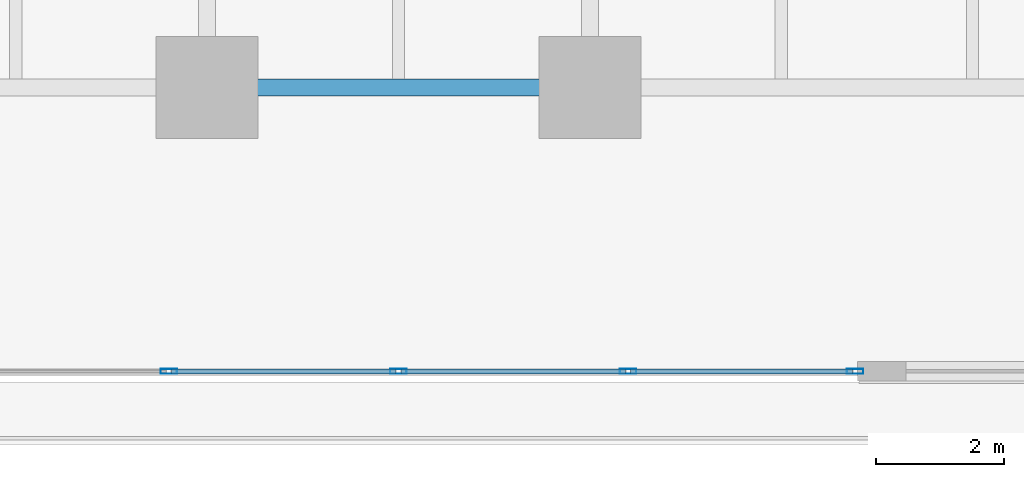
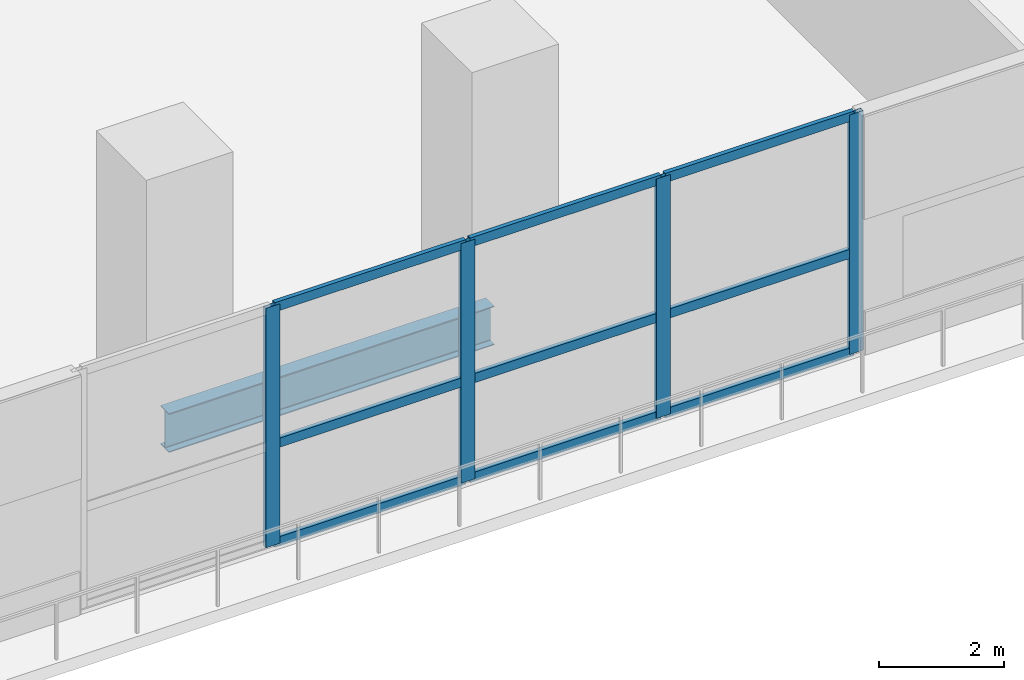
# One storey, part 4 of 27: 13 members, 1 beam, 1 element without a shape of its own.
"""IFC4 building model written with IfcOpenShell, lengths in metres."""

from ifc_helpers import new_model, si_unit, direction, frame, origin, origin_2d, place, context, subcontext, project, spatial, hollow_rectangle, i_section, extrude, material, layer, layer_set, material_profile, profile_set, type_object, element, aggregate, save


model = new_model("IFC4")

# Units and contexts
model_context = context("Model", 3, precision=1e-05, world=origin(), true_north=direction((0.0, 1.0)))
body_context = subcontext(model_context, "Body", "Model", "MODEL_VIEW")
ifc_project = project(units=[si_unit("LENGTHUNIT", "METRE"), si_unit("AREAUNIT", "SQUARE_METRE"), si_unit("VOLUMEUNIT", "CUBIC_METRE"), si_unit("PLANEANGLEUNIT", "RADIAN"), si_unit("MASSUNIT", "GRAM", prefix="KILO")], contexts=[model_context])

# Site, building, storey
site_placement = place(None, origin())
site = spatial("IfcSite", under=ifc_project, at=site_placement, CompositionType="ELEMENT")
building_placement = place(site_placement, origin())
building = spatial("IfcBuilding", under=site, at=building_placement, Name="Tanjung Sevakor Pilgrim Tower", CompositionType="ELEMENT")
storey_placement = place(building_placement, frame((0.0, 0.0, 9.89990234375)))
storey = spatial("IfcBuildingStorey", under=building, at=storey_placement, Name="L03", CompositionType="ELEMENT", Elevation=9.89990234375)

# Beam
ifc_material_1 = material(Name="Steel S355J2", Category="steel")
ifc_material_profile_1 = material_profile(ifc_material_1, i_section(OverallWidth=0.2666015625, OverallDepth=0.76220703125, WebThickness=0.014404296875, FlangeThickness=0.021484375, FilletRadius=0.0166015625, at=origin_2d()))
ifc_profile_set_1 = profile_set([ifc_material_profile_1], Name="Steel S355J2")
beam_type = type_object("IfcBeamType", Name="BM-B-POD4-UB_762x267x173", PredefinedType="BEAM", material=ifc_profile_set_1)
beam_placement = place(storey_placement, frame((54.0, 6.60009765625, -0.660888671875), z_axis=(1.0, 0.0, 0.0), x_axis=(0.0, 1.0, 0.0)))
element("IfcBeam", 1, at=beam_placement, inside=storey, type_object=beam_type, Name="L03 Podium Girder EW Y6.6-4", PredefinedType="BEAM", context=body_context, shape_type="SweptSolid", body=[
    extrude(i_section(OverallWidth=0.2666015625, OverallDepth=0.76220703125, WebThickness=0.014404296875, FlangeThickness=0.021484375, FilletRadius=0.0166015625, at=origin_2d()), origin(), (0.0, 0.0, 1.0), 6.0),
])

# Curtain wall, members
ifc_material_2 = material(Name="Aluminium 6063-T6 and Low-E Glass", Category="aluminium")
ifc_layer = layer(ifc_material_2, 0.179931640625)
ifc_layer_set = layer_set([ifc_layer], Name="CW-SYS-POD")
curtain_wall_type = type_object("IfcCurtainWallType", Name="CW-SYS-POD", PredefinedType="NOTDEFINED", material=ifc_layer_set)
curtain_wall_placement = place(storey_placement, origin())
curtain_wall = element("IfcCurtainWall", 2, at=curtain_wall_placement, inside=storey, type_object=curtain_wall_type, Name="L03 Curtain Wall CW-POD-L03-S", PredefinedType="NOTDEFINED")
ifc_material_3 = material(Name="Aluminium 6063-T6", Category="aluminium")
ifc_material_profile_2 = material_profile(ifc_material_3, hollow_rectangle(XDim=0.080078125, YDim=0.260009765625, WallThickness=0.0048828125, at=origin_2d()))
ifc_profile_set_2 = profile_set([ifc_material_profile_2], Name="Aluminium 6063-T6")
member_type_1 = type_object("IfcMemberType", Name="TYPE-CWM-3", PredefinedType="MULLION", material=ifc_profile_set_2)
member_1_placement = place(storey_placement, frame((53.39990234375, 2.14990234375, 0.0), z_axis=(0.0, 0.0, 1.0), x_axis=(0.0, 1.0, 0.0)))
member_1 = element("IfcMember", 3, at=member_1_placement, type_object=member_type_1, Name="CW-POD mullion 2", PredefinedType="MULLION", context=body_context, shape_type="SweptSolid", body=[
    extrude(hollow_rectangle(XDim=0.080078125, YDim=0.260009765625, WallThickness=0.0048828125, at=origin_2d()), origin(), (0.0, 0.0, 1.0), 4.670166015625),
])
member_2_placement = place(storey_placement, frame((57.0, 2.14990234375, 0.0), z_axis=(0.0, 0.0, 1.0), x_axis=(0.0, 1.0, 0.0)))
member_2 = element("IfcMember", 4, at=member_2_placement, type_object=member_type_1, Name="CW-POD mullion 3", PredefinedType="MULLION", context=body_context, shape_type="SweptSolid", body=[
    extrude(hollow_rectangle(XDim=0.080078125, YDim=0.260009765625, WallThickness=0.0048828125, at=origin_2d()), origin(), (0.0, 0.0, 1.0), 4.670166015625),
])
member_3_placement = place(storey_placement, frame((60.60009765625, 2.14990234375, 0.0), z_axis=(0.0, 0.0, 1.0), x_axis=(0.0, 1.0, 0.0)))
member_3 = element("IfcMember", 5, at=member_3_placement, type_object=member_type_1, Name="CW-POD mullion 4", PredefinedType="MULLION", context=body_context, shape_type="SweptSolid", body=[
    extrude(hollow_rectangle(XDim=0.080078125, YDim=0.260009765625, WallThickness=0.0048828125, at=origin_2d()), origin(), (0.0, 0.0, 1.0), 4.670166015625),
])
member_4_placement = place(storey_placement, frame((64.159912109375, 2.14990234375, 0.0), z_axis=(0.0, 0.0, 1.0), x_axis=(0.0, 1.0, 0.0)))
member_4 = element("IfcMember", 6, at=member_4_placement, type_object=member_type_1, Name="CW-POD mullion 5", PredefinedType="MULLION", context=body_context, shape_type="SweptSolid", body=[
    extrude(hollow_rectangle(XDim=0.080078125, YDim=0.260009765625, WallThickness=0.0048828125, at=origin_2d()), origin(), (0.0, 0.0, 1.0), 4.670166015625),
])
ifc_material_4 = material(Name="Aluminium 6063-T6", Category="aluminium")
ifc_material_profile_3 = material_profile(ifc_material_4, hollow_rectangle(XDim=0.080078125, YDim=0.179931640625, WallThickness=0.0048828125, at=origin_2d()))
ifc_profile_set_3 = profile_set([ifc_material_profile_3], Name="Aluminium 6063-T6")
member_type_2 = type_object("IfcMemberType", Name="TYPE-CWT-3", PredefinedType="USERDEFINED", material=ifc_profile_set_3)
member_5_placement = place(storey_placement, frame((53.43994140625, 2.14990234375, 0.0400390625), z_axis=(1.0, 0.0, 0.0), x_axis=(0.0, 1.0, 0.0)))
member_5 = element("IfcMember", 7, at=member_5_placement, type_object=member_type_2, Name="CW-POD transom 2.1", ObjectType="TRANSOM", PredefinedType="USERDEFINED", context=body_context, shape_type="SweptSolid", body=[
    extrude(hollow_rectangle(XDim=0.080078125, YDim=0.179931640625, WallThickness=0.0048828125, at=origin_2d()), origin(), (0.0, 0.0, 1.0), 3.52001953125),
])
member_6_placement = place(storey_placement, frame((53.43994140625, 2.14990234375, 1.96142578125), z_axis=(1.0, 0.0, 0.0), x_axis=(0.0, 1.0, 0.0)))
member_6 = element("IfcMember", 8, at=member_6_placement, type_object=member_type_2, Name="CW-POD transom 2.2", ObjectType="TRANSOM", PredefinedType="USERDEFINED", context=body_context, shape_type="SweptSolid", body=[
    extrude(hollow_rectangle(XDim=0.080078125, YDim=0.179931640625, WallThickness=0.0048828125, at=origin_2d()), origin(), (0.0, 0.0, 1.0), 3.52001953125),
])
member_7_placement = place(storey_placement, frame((53.43994140625, 2.14990234375, 4.630126953125), z_axis=(1.0, 0.0, 0.0), x_axis=(0.0, 1.0, 0.0)))
member_7 = element("IfcMember", 9, at=member_7_placement, type_object=member_type_2, Name="CW-POD transom 2.3", ObjectType="TRANSOM", PredefinedType="USERDEFINED", context=body_context, shape_type="SweptSolid", body=[
    extrude(hollow_rectangle(XDim=0.080078125, YDim=0.179931640625, WallThickness=0.0048828125, at=origin_2d()), origin(), (0.0, 0.0, 1.0), 3.52001953125),
])
member_8_placement = place(storey_placement, frame((57.0400390625, 2.14990234375, 0.0400390625), z_axis=(1.0, 0.0, 0.0), x_axis=(0.0, 1.0, 0.0)))
member_8 = element("IfcMember", 10, at=member_8_placement, type_object=member_type_2, Name="CW-POD transom 3.1", ObjectType="TRANSOM", PredefinedType="USERDEFINED", context=body_context, shape_type="SweptSolid", body=[
    extrude(hollow_rectangle(XDim=0.080078125, YDim=0.179931640625, WallThickness=0.0048828125, at=origin_2d()), origin(), (0.0, 0.0, 1.0), 3.52001953125),
])
member_9_placement = place(storey_placement, frame((57.0400390625, 2.14990234375, 1.96142578125), z_axis=(1.0, 0.0, 0.0), x_axis=(0.0, 1.0, 0.0)))
member_9 = element("IfcMember", 11, at=member_9_placement, type_object=member_type_2, Name="CW-POD transom 3.2", ObjectType="TRANSOM", PredefinedType="USERDEFINED", context=body_context, shape_type="SweptSolid", body=[
    extrude(hollow_rectangle(XDim=0.080078125, YDim=0.179931640625, WallThickness=0.0048828125, at=origin_2d()), origin(), (0.0, 0.0, 1.0), 3.52001953125),
])
member_10_placement = place(storey_placement, frame((57.0400390625, 2.14990234375, 4.630126953125), z_axis=(1.0, 0.0, 0.0), x_axis=(0.0, 1.0, 0.0)))
member_10 = element("IfcMember", 12, at=member_10_placement, type_object=member_type_2, Name="CW-POD transom 3.3", ObjectType="TRANSOM", PredefinedType="USERDEFINED", context=body_context, shape_type="SweptSolid", body=[
    extrude(hollow_rectangle(XDim=0.080078125, YDim=0.179931640625, WallThickness=0.0048828125, at=origin_2d()), origin(), (0.0, 0.0, 1.0), 3.52001953125),
])
member_11_placement = place(storey_placement, frame((60.639892578125, 2.14990234375, 0.0400390625), z_axis=(1.0, 0.0, 0.0), x_axis=(0.0, 1.0, 0.0)))
member_11 = element("IfcMember", 13, at=member_11_placement, type_object=member_type_2, Name="CW-POD transom 4.1", ObjectType="TRANSOM", PredefinedType="USERDEFINED", context=body_context, shape_type="SweptSolid", body=[
    extrude(hollow_rectangle(XDim=0.080078125, YDim=0.179931640625, WallThickness=0.0048828125, at=origin_2d()), origin(), (0.0, 0.0, 1.0), 3.480224609375),
])
member_12_placement = place(storey_placement, frame((60.639892578125, 2.14990234375, 1.96142578125), z_axis=(1.0, 0.0, 0.0), x_axis=(0.0, 1.0, 0.0)))
member_12 = element("IfcMember", 14, at=member_12_placement, type_object=member_type_2, Name="CW-POD transom 4.2", ObjectType="TRANSOM", PredefinedType="USERDEFINED", context=body_context, shape_type="SweptSolid", body=[
    extrude(hollow_rectangle(XDim=0.080078125, YDim=0.179931640625, WallThickness=0.0048828125, at=origin_2d()), origin(), (0.0, 0.0, 1.0), 3.480224609375),
])
member_13_placement = place(storey_placement, frame((60.639892578125, 2.14990234375, 4.630126953125), z_axis=(1.0, 0.0, 0.0), x_axis=(0.0, 1.0, 0.0)))
member_13 = element("IfcMember", 15, at=member_13_placement, type_object=member_type_2, Name="CW-POD transom 4.3", ObjectType="TRANSOM", PredefinedType="USERDEFINED", context=body_context, shape_type="SweptSolid", body=[
    extrude(hollow_rectangle(XDim=0.080078125, YDim=0.179931640625, WallThickness=0.0048828125, at=origin_2d()), origin(), (0.0, 0.0, 1.0), 3.480224609375),
])
aggregate(curtain_wall, [member_1, member_2, member_3, member_4, member_5, member_6, member_7, member_8, member_9, member_10, member_11, member_12, member_13])

save(model, "model.ifc")
